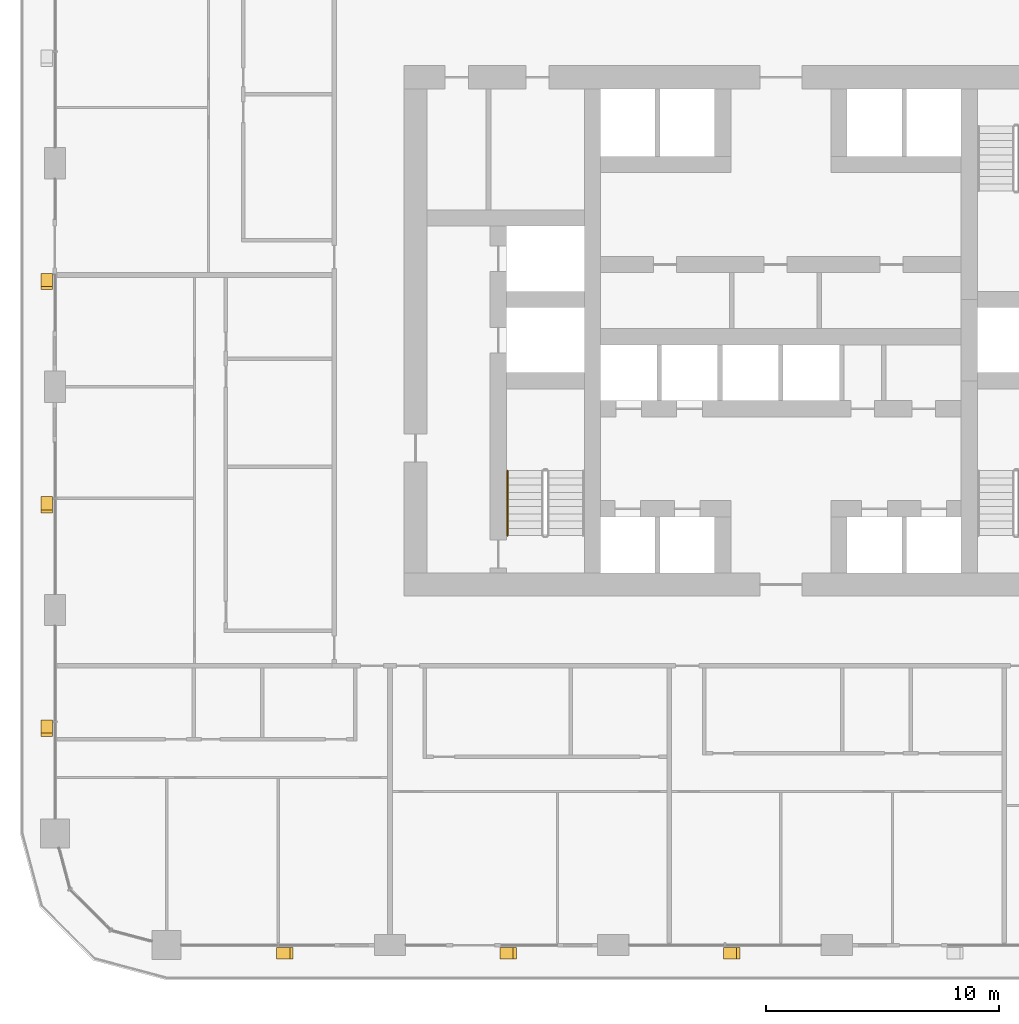
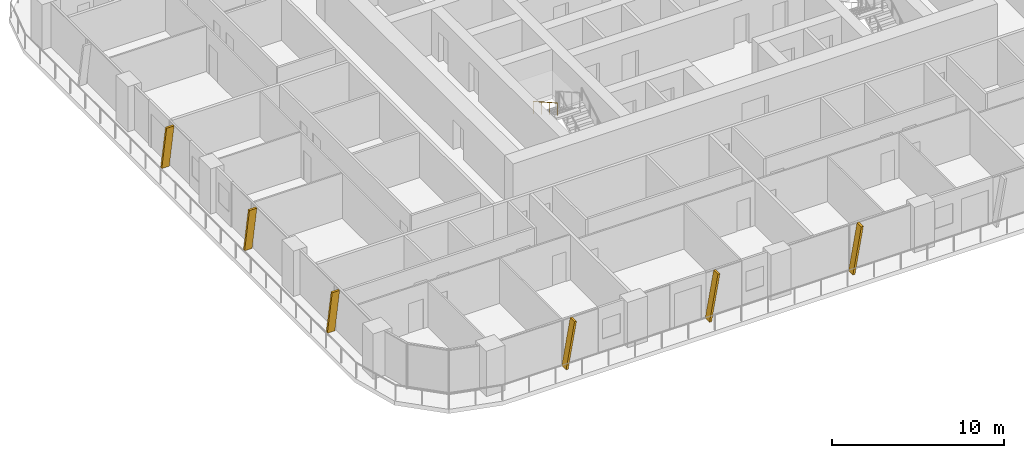
# One storey, part 16 of 21: 6 shading devices, 1 railing.
"""IFC4 building model written with IfcOpenShell, lengths in metres."""

from ifc_helpers import new_model, si_unit, direction, frame, origin, origin_2d, place, context, subcontext, project, spatial, polyline, circle, outline, extrude, material, type_object, element, save


model = new_model("IFC4")

# Units and contexts
model_context = context("Model", 3, precision=1e-05, world=origin(), true_north=direction((0.0, 1.0)))
body_context = subcontext(model_context, "Body", "Model", "MODEL_VIEW")
ifc_project = project(units=[si_unit("LENGTHUNIT", "METRE"), si_unit("AREAUNIT", "SQUARE_METRE"), si_unit("VOLUMEUNIT", "CUBIC_METRE"), si_unit("PLANEANGLEUNIT", "RADIAN"), si_unit("MASSUNIT", "GRAM", prefix="KILO")], contexts=[model_context])

# Site, building, storey
site_placement = place(None, origin())
site = spatial("IfcSite", under=ifc_project, at=site_placement, CompositionType="ELEMENT")
building_placement = place(site_placement, origin())
building = spatial("IfcBuilding", under=site, at=building_placement, Name="Madar Terraces", CompositionType="ELEMENT")
storey_placement = place(building_placement, frame((0.0, 0.0, 32.89990234375)))
storey = spatial("IfcBuildingStorey", under=building, at=storey_placement, Name="L07", CompositionType="ELEMENT", Elevation=32.89990234375)

# Shading devices
ifc_material_1 = material(Name="Aluminium, black anodised", Category="aluminium")
shading_device_type = type_object("IfcShadingDeviceType", Name="Facade fin blade 140 x 500", PredefinedType="USERDEFINED", material=ifc_material_1)
shading_device_1_placement = place(storey_placement, frame((9.530029296875, -0.35009765625, 0.0), z_axis=(0.0, 0.0, 1.0), x_axis=(1.0, 0.0, 0.0)))
element("IfcShadingDevice", 1, at=shading_device_1_placement, inside=storey, type_object=shading_device_type, Name="FIN L07 S1", ObjectType="FIN", PredefinedType="USERDEFINED", context=body_context, shape_type="SweptSolid", body=[
    extrude(outline(polyline([(0.0, 0.0), (0.139892578125, 0.0), (0.704345703125, 3.2001953125), (0.564208984375, 3.2001953125), (0.0, 0.0)])), frame((0.0, 0.25, 0.0), z_axis=(0.0, -1.0, 0.0), x_axis=(1.0, 0.0, 0.0)), (0.0, 0.0, 1.0), 0.5),
])
for number, where, z_axis, x_axis, name in (
    (2, (19.1298828125, -0.35009765625, 0.0), (0.0, 0.0, 1.0), (1.0, 0.0, 0.0), "FIN L07 S2"),
    (3, (28.72998046875, -0.35009765625, 0.0), (0.0, 0.0, 1.0), (1.0, 0.0, 0.0), "FIN L07 S3"),
    (4, (-0.35009765625, 28.8701171875, 0.0), (0.0, 0.0, 1.0), (0.0, -1.0, 0.0), "FIN L07 W2"),
    (5, (-0.35009765625, 19.27001953125, 0.0), (0.0, 0.0, 1.0), (0.0, -1.0, 0.0), "FIN L07 W3"),
):
    element("IfcShadingDevice", number, at=place(storey_placement, frame(where, z_axis=z_axis, x_axis=x_axis)), inside=storey, type_object=shading_device_type, Name=name, ObjectType="FIN", PredefinedType="USERDEFINED", context=body_context, shape_type="SweptSolid", body=[
        extrude(outline(polyline([(0.0, 0.0), (0.14013671875, 0.0), (0.704345703125, 3.2001953125), (0.564208984375, 3.2001953125), (0.0, 0.0)])), frame((0.0, 0.25, 0.0), z_axis=(0.0, -1.0, 0.0), x_axis=(1.0, 0.0, 0.0)), (0.0, 0.0, 1.0), 0.5),
    ])
shading_device_2_placement = place(storey_placement, frame((-0.35009765625, 9.669921875, 0.0), z_axis=(0.0, 0.0, 1.0), x_axis=(0.0, -1.0, 0.0)))
element("IfcShadingDevice", 6, at=shading_device_2_placement, inside=storey, type_object=shading_device_type, Name="FIN L07 W4", ObjectType="FIN", PredefinedType="USERDEFINED", context=body_context, shape_type="SweptSolid", body=[
    extrude(outline(polyline([(0.0, 0.0), (0.139892578125, 0.0), (0.704345703125, 3.2001953125), (0.564208984375, 3.2001953125), (0.0, 0.0)])), frame((0.0, 0.25, 0.0), z_axis=(0.0, -1.0, 0.0), x_axis=(1.0, 0.0, 0.0)), (0.0, 0.0, 1.0), 0.5),
])

# Railing
ifc_material_2 = material(Name="Stainless steel railing", Category="steel")
railing_type = type_object("IfcRailingType", Name="Stair handrail 900", PredefinedType="HANDRAIL", material=ifc_material_2)
railing_placement = place(storey_placement, frame((19.449951171875, 20.389892578125, 1.925048828125)))
element("IfcRailing", 7, at=railing_placement, inside=storey, type_object=railing_type, Name="L07 ST1 stair handrail 2", PredefinedType="HANDRAIL", context=body_context, shape_type="SweptSolid", body=[
    extrude(circle(Radius=0.02392578125, at=origin_2d()), frame((0.0, 0.0, 0.8759765625), z_axis=(0.0, -0.870815363784, 0.491610213684), x_axis=(1.0, 0.0, 0.0)), (0.0, 0.0, 1.0), 3.20361328125),
    extrude(circle(Radius=0.02099609375, at=origin_2d()), origin(), (0.0, 0.0, 1.0), 0.851806640625),
    extrude(circle(Radius=0.02099609375, at=origin_2d()), frame((0.0, -0.929931640625, 0.52490234375)), (0.0, 0.0, 1.0), 0.851806640625),
    extrude(circle(Radius=0.02099609375, at=origin_2d()), frame((0.0, -1.85986328125, 1.050048828125)), (0.0, 0.0, 1.0), 0.851806640625),
    extrude(circle(Radius=0.02099609375, at=origin_2d()), frame((0.0, -2.789794921875, 1.574951171875)), (0.0, 0.0, 1.0), 0.851806640625),
])

save(model, "model.ifc")
